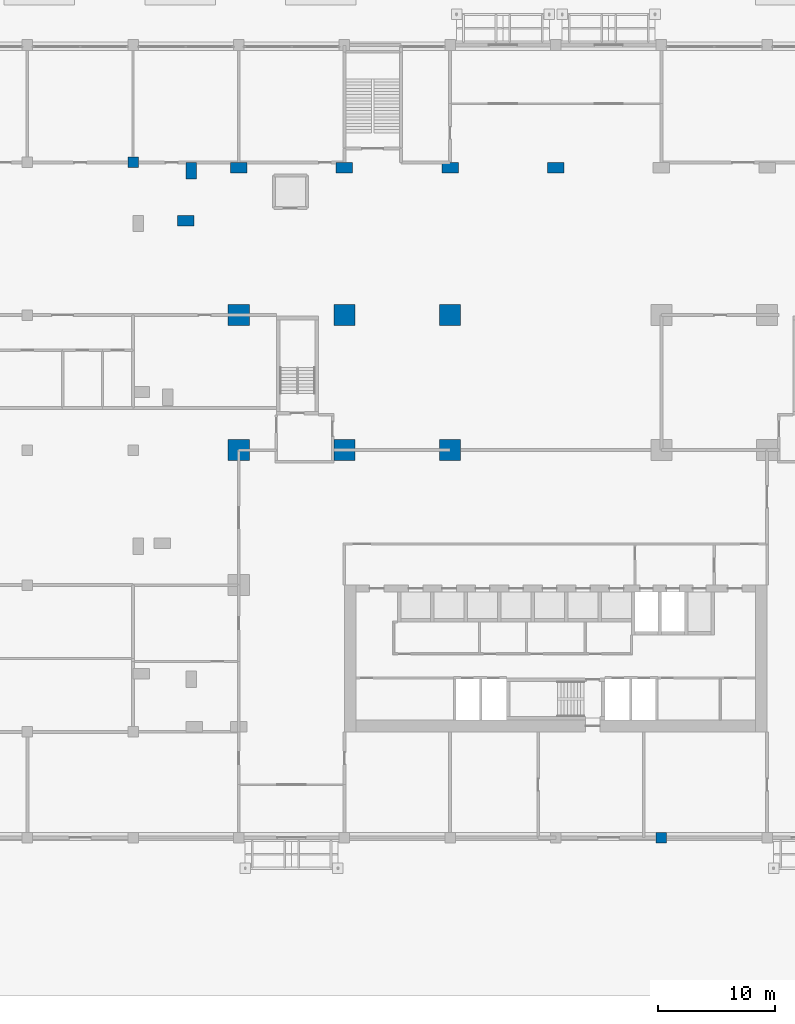
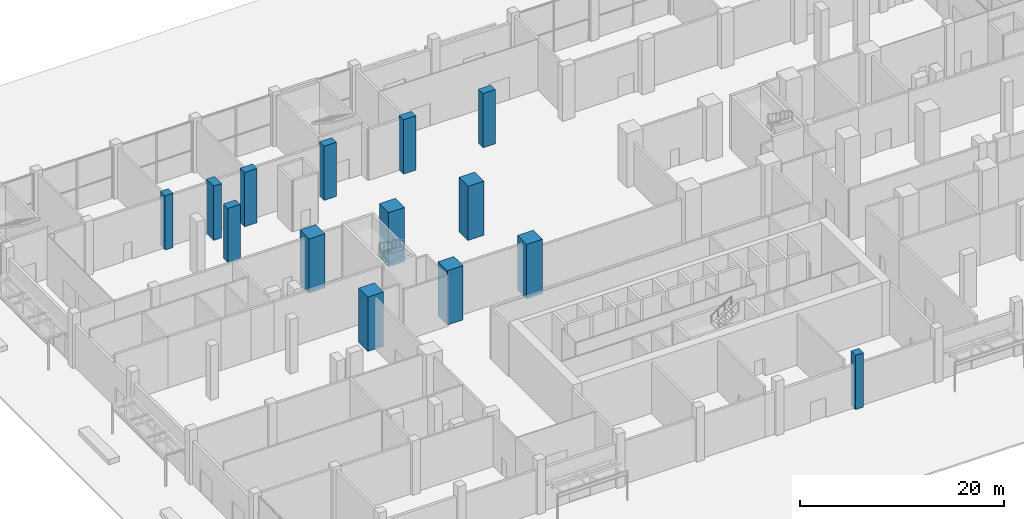
# One storey, part 9 of 39: 14 columns.
"""IFC4 building model written with IfcOpenShell, lengths in metres."""

from ifc_helpers import new_model, si_unit, direction, frame, origin, origin_2d, place, context, subcontext, project, spatial, rectangle, extrude, material, material_profile, profile_set, type_object, element, save


model = new_model("IFC4")

# Units and contexts
model_context = context("Model", 3, precision=1e-05, world=origin(), true_north=direction((0.0, 1.0)))
body_context = subcontext(model_context, "Body", "Model", "MODEL_VIEW")
ifc_project = project(units=[si_unit("LENGTHUNIT", "METRE"), si_unit("AREAUNIT", "SQUARE_METRE"), si_unit("VOLUMEUNIT", "CUBIC_METRE"), si_unit("PLANEANGLEUNIT", "RADIAN"), si_unit("MASSUNIT", "GRAM", prefix="KILO")], contexts=[model_context])

# Site, building, storey
site_placement = place(None, origin())
site = spatial("IfcSite", under=ifc_project, at=site_placement, CompositionType="ELEMENT")
building_placement = place(site_placement, origin())
building = spatial("IfcBuilding", under=site, at=building_placement, Name="Brigalow Station Residences", CompositionType="ELEMENT")
storey_placement = place(building_placement, origin())
storey = spatial("IfcBuildingStorey", under=building, at=storey_placement, Name="L00", CompositionType="ELEMENT", Elevation=0.0)

# Columns
ifc_material_1 = material(Name="Concrete C80", Category="concrete")
ifc_material_profile_1 = material_profile(ifc_material_1, rectangle(XDim=1.800048828125, YDim=1.800048828125, at=origin_2d()), Name="RC1800x1800")
ifc_profile_set_1 = profile_set([ifc_material_profile_1], Name="Concrete C80")
column_type_1 = type_object("IfcColumnType", Name="COLUMN 1800x1800 C80", PredefinedType="COLUMN", material=ifc_profile_set_1)
for number, where, z_axis, x_axis, name in (
    (1, (9.0, 24.0, 0.0), (0.0, 0.0, 1.0), (1.0, 0.0, 0.0), "COLUMN C1 L00"),
    (2, (9.0, 35.5, 0.0), (0.0, 0.0, 1.0), (1.0, 0.0, 0.0), "COLUMN D1 L00"),
    (3, (18.0, 24.0, 0.0), (0.0, 0.0, 1.0), (1.0, 0.0, 0.0), "COLUMN C2 L00"),
    (4, (18.0, 35.5, 0.0), (0.0, 0.0, 1.0), (1.0, 0.0, 0.0), "COLUMN D2 L00"),
    (5, (27.0, 24.0, 0.0), (0.0, 0.0, 1.0), (1.0, 0.0, 0.0), "COLUMN C3 L00"),
    (6, (27.0, 35.5, 0.0), (0.0, 0.0, 1.0), (1.0, 0.0, 0.0), "COLUMN D3 L00"),
):
    element("IfcColumn", number, at=place(storey_placement, frame(where, z_axis=z_axis, x_axis=x_axis)), inside=storey, type_object=column_type_1, Name=name, PredefinedType="COLUMN", context=body_context, shape_type="SweptSolid", body=[
        extrude(rectangle(XDim=1.800048828125, YDim=1.800048828125, at=origin_2d()), origin(), (0.0, 0.0, 1.0), 6.5),
    ])
ifc_material_2 = material(Name="Concrete C50", Category="concrete")
ifc_material_profile_2 = material_profile(ifc_material_2, rectangle(XDim=0.89990234375, YDim=0.89990234375, at=origin_2d()), Name="RC900x900")
ifc_profile_set_2 = profile_set([ifc_material_profile_2], Name="Concrete C50")
column_type_2 = type_object("IfcColumnType", Name="COLUMN 900x900 C50", PredefinedType="COLUMN", material=ifc_profile_set_2)
for number, where, z_axis, x_axis, name in (
    (7, (0.0, 48.5, 0.0), (0.0, 0.0, 1.0), (1.0, 0.0, 0.0), "COLUMN E0 L00"),
    (8, (45.0, -9.0, 0.0), (0.0, 0.0, 1.0), (1.0, 0.0, 0.0), "COLUMN Z5 L00"),
):
    element("IfcColumn", number, at=place(storey_placement, frame(where, z_axis=z_axis, x_axis=x_axis)), inside=storey, type_object=column_type_2, Name=name, PredefinedType="COLUMN", context=body_context, shape_type="SweptSolid", body=[
        extrude(rectangle(XDim=0.89990234375, YDim=0.89990234375, at=origin_2d()), origin(), (0.0, 0.0, 1.0), 6.5),
    ])
ifc_material_3 = material(Name="Concrete C80", Category="concrete")
ifc_material_profile_3 = material_profile(ifc_material_3, rectangle(XDim=1.39990234375, YDim=0.89990234375, at=origin_2d()), Name="RC1400x900")
ifc_profile_set_3 = profile_set([ifc_material_profile_3], Name="Concrete C80")
column_type_3 = type_object("IfcColumnType", Name="PIER 1400x900 C80", PredefinedType="USERDEFINED", material=ifc_profile_set_3)
for number, where, z_axis, x_axis, name in (
    (9, (36.0, 48.050048828125, 0.0), (0.0, 0.0, 1.0), (-1.0, 0.0, 0.0), "PIER N-9 L00"),
    (10, (27.0, 48.050048828125, 0.0), (0.0, 0.0, 1.0), (-1.0, 0.0, 0.0), "PIER N-11 L00"),
    (11, (18.0, 48.050048828125, 0.0), (0.0, 0.0, 1.0), (-1.0, 0.0, 0.0), "PIER N-13 L00"),
    (12, (9.0, 48.050048828125, 0.0), (0.0, 0.0, 1.0), (-1.0, 0.0, 0.0), "PIER N-15 L00"),
    (13, (4.949951171875, 47.800048828125, 0.0), (0.0, 0.0, 1.0), (0.0, -1.0, 0.0), "PIER NW1-1 L00"),
    (14, (4.5, 43.550048828125, 0.0), (0.0, 0.0, 1.0), (-1.0, 0.0, 0.0), "PIER NW2-1 L00"),
):
    element("IfcColumn", number, at=place(storey_placement, frame(where, z_axis=z_axis, x_axis=x_axis)), inside=storey, type_object=column_type_3, Name=name, ObjectType="PIER", PredefinedType="USERDEFINED", context=body_context, shape_type="SweptSolid", body=[
        extrude(rectangle(XDim=1.39990234375, YDim=0.89990234375, at=origin_2d()), origin(), (0.0, 0.0, 1.0), 6.5),
    ])

save(model, "model.ifc")
